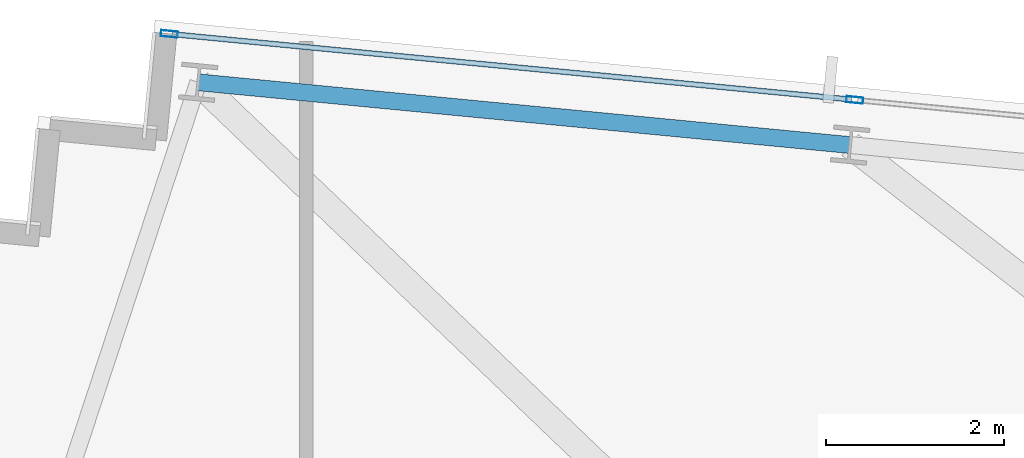
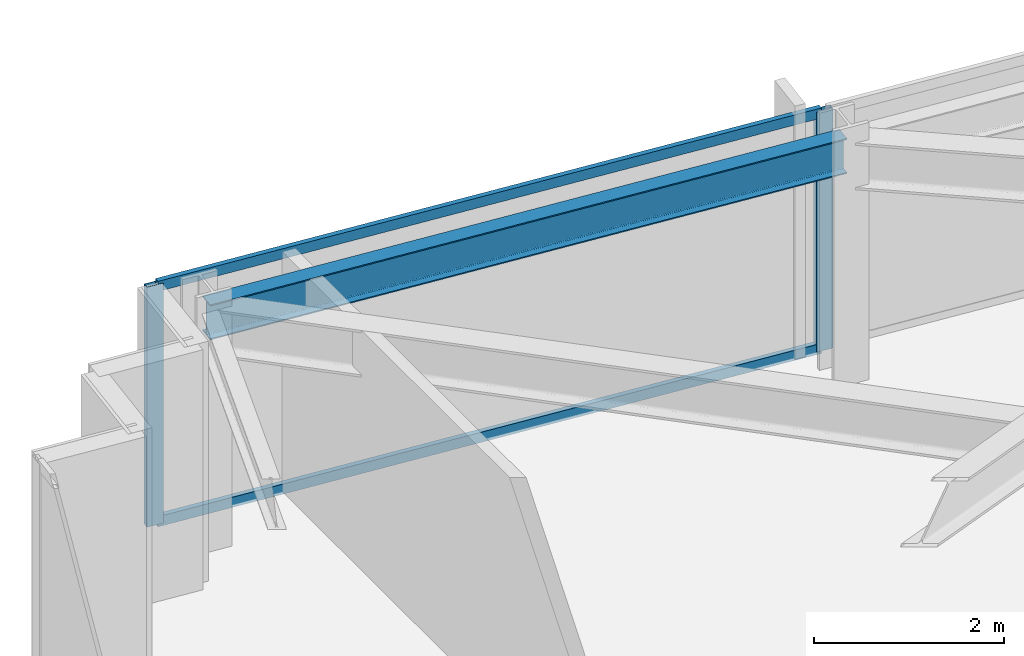
# One storey, part 23 of 37: 4 members, 1 beam, 1 element without a shape of its own.
"""IFC4 building model written with IfcOpenShell, lengths in metres."""

from ifc_helpers import new_model, si_unit, direction, frame, origin, origin_2d, place, context, subcontext, project, spatial, hollow_rectangle, i_section, extrude, material, material_profile, profile_set, type_object, element, aggregate, save


model = new_model("IFC4")

# Units and contexts
model_context = context("Model", 3, precision=1e-05, world=origin(), true_north=direction((0.0, 1.0)))
body_context = subcontext(model_context, "Body", "Model", "MODEL_VIEW")
ifc_project = project(units=[si_unit("LENGTHUNIT", "METRE"), si_unit("AREAUNIT", "SQUARE_METRE"), si_unit("VOLUMEUNIT", "CUBIC_METRE"), si_unit("PLANEANGLEUNIT", "RADIAN"), si_unit("MASSUNIT", "GRAM", prefix="KILO")], contexts=[model_context])

# Site, building, storey
site_placement = place(None, origin())
site = spatial("IfcSite", under=ifc_project, at=site_placement, CompositionType="ELEMENT")
building_placement = place(site_placement, origin())
building = spatial("IfcBuilding", under=site, at=building_placement, Name="Yelkora Congress Tower", CompositionType="ELEMENT")
storey_placement = place(building_placement, frame((0.0, 0.0, 168.800048828125)))
storey = spatial("IfcBuildingStorey", under=building, at=storey_placement, Name="L46", CompositionType="ELEMENT", Elevation=168.800048828125)

# Beam
ifc_material_1 = material(Name="Steel S355J2", Category="steel")
ifc_material_profile_1 = material_profile(ifc_material_1, i_section(OverallWidth=0.18994140625, OverallDepth=0.449951171875, WebThickness=0.009521484375, FlangeThickness=0.0146484375, FilletRadius=0.02099609375, at=origin_2d()), Name="IPE 450")
ifc_profile_set_1 = profile_set([ifc_material_profile_1], Name="Steel S355J2")
beam_type = type_object("IfcBeamType", Name="BM-SPAN-IPE450", PredefinedType="SPANDREL", material=ifc_profile_set_1)
beam_placement = place(storey_placement, frame((14.712158203125, 49.685546875, 2.85498046875), z_axis=(-0.995397104697, 0.095836339457, 0.0), x_axis=(-0.095836339457, -0.995397104697, 0.0)))
element("IfcBeam", 1, at=beam_placement, inside=storey, type_object=beam_type, Name="L46 Perimeter Beam 15", PredefinedType="SPANDREL", context=body_context, shape_type="SweptSolid", body=[
    extrude(i_section(OverallWidth=0.18994140625, OverallDepth=0.449951171875, WebThickness=0.009521484375, FlangeThickness=0.0146484375, FilletRadius=0.02099609375, at=origin_2d()), origin(), (0.0, 0.0, 1.0), 7.357177734375),
])

# Curtain wall, members
ifc_material_2 = material(Name="Anodised aluminium and insulated glass", Category="aluminium")
curtain_wall_type = type_object("IfcCurtainWallType", Name="CW-SYS-B3", PredefinedType="NOTDEFINED", material=ifc_material_2)
curtain_wall_placement = place(storey_placement, origin())
curtain_wall = element("IfcCurtainWall", 2, at=curtain_wall_placement, inside=storey, type_object=curtain_wall_type, Name="L46 Unitised Curtain Wall 10 (1)", PredefinedType="NOTDEFINED")
ifc_material_3 = material(Name="Anodised aluminium 6063-T6", Category="aluminium")
ifc_material_profile_2 = material_profile(ifc_material_3, hollow_rectangle(XDim=0.070068359375, YDim=0.18994140625, WallThickness=0.00390625, at=origin_2d()), Name="ALU 70x190x4")
ifc_profile_set_2 = profile_set([ifc_material_profile_2], Name="Anodised aluminium 6063-T6")
member_type_1 = type_object("IfcMemberType", Name="MEM-ML-B3", PredefinedType="MULLION", material=ifc_profile_set_2)
member_1_placement = place(storey_placement, frame((7.064453125, 50.934326171875, 0.0), z_axis=(0.0, 0.0, 1.0), x_axis=(0.095844761168, 0.995396293823, 0.0)))
member_1 = element("IfcMember", 3, at=member_1_placement, type_object=member_type_1, Name="CW-B3 mullion 1", PredefinedType="MULLION", context=body_context, shape_type="SweptSolid", body=[
    extrude(hollow_rectangle(XDim=0.070068359375, YDim=0.18994140625, WallThickness=0.00390625, at=origin_2d()), origin(), (0.0, 0.0, 1.0), 3.079833984375),
])
member_2_placement = place(storey_placement, frame((14.76318359375, 50.19287109375, 0.0), z_axis=(0.0, 0.0, 1.0), x_axis=(0.095844761168, 0.995396293823, 0.0)))
member_2 = element("IfcMember", 4, at=member_2_placement, type_object=member_type_1, Name="CW-B3 mullion 2", PredefinedType="MULLION", context=body_context, shape_type="SweptSolid", body=[
    extrude(hollow_rectangle(XDim=0.070068359375, YDim=0.18994140625, WallThickness=0.00390625, at=origin_2d()), origin(), (0.0, 0.0, 1.0), 3.079833984375),
])
ifc_material_profile_3 = material_profile(ifc_material_3, hollow_rectangle(XDim=0.06005859375, YDim=0.1298828125, WallThickness=0.00390625, at=origin_2d()), Name="ALU 60x130x4")
ifc_profile_set_3 = profile_set([ifc_material_profile_3], Name="Anodised aluminium 6063-T6")
member_type_2 = type_object("IfcMemberType", Name="MEM-TR-B3", PredefinedType="USERDEFINED", material=ifc_profile_set_3)
member_3_placement = place(storey_placement, frame((7.099365234375, 50.930908203125, 0.030029296875), z_axis=(0.995395712642, -0.09585079683, 0.0), x_axis=(0.09585079683, 0.995395712642, 0.0)))
member_3 = element("IfcMember", 5, at=member_3_placement, type_object=member_type_2, Name="CW-B3 transom 1.1", ObjectType="TRANSOM", PredefinedType="USERDEFINED", context=body_context, shape_type="SweptSolid", body=[
    extrude(hollow_rectangle(XDim=0.06005859375, YDim=0.1298828125, WallThickness=0.00390625, at=origin_2d()), origin(), (0.0, 0.0, 1.0), 7.664306640625),
])
member_4_placement = place(storey_placement, frame((7.099365234375, 50.930908203125, 3.050048828125), z_axis=(0.995395712642, -0.09585079683, 0.0), x_axis=(0.09585079683, 0.995395712642, 0.0)))
member_4 = element("IfcMember", 6, at=member_4_placement, type_object=member_type_2, Name="CW-B3 transom 1.2", ObjectType="TRANSOM", PredefinedType="USERDEFINED", context=body_context, shape_type="SweptSolid", body=[
    extrude(hollow_rectangle(XDim=0.06005859375, YDim=0.1298828125, WallThickness=0.00390625, at=origin_2d()), origin(), (0.0, 0.0, 1.0), 7.664306640625),
])
aggregate(curtain_wall, [member_1, member_2, member_3, member_4])

save(model, "model.ifc")
